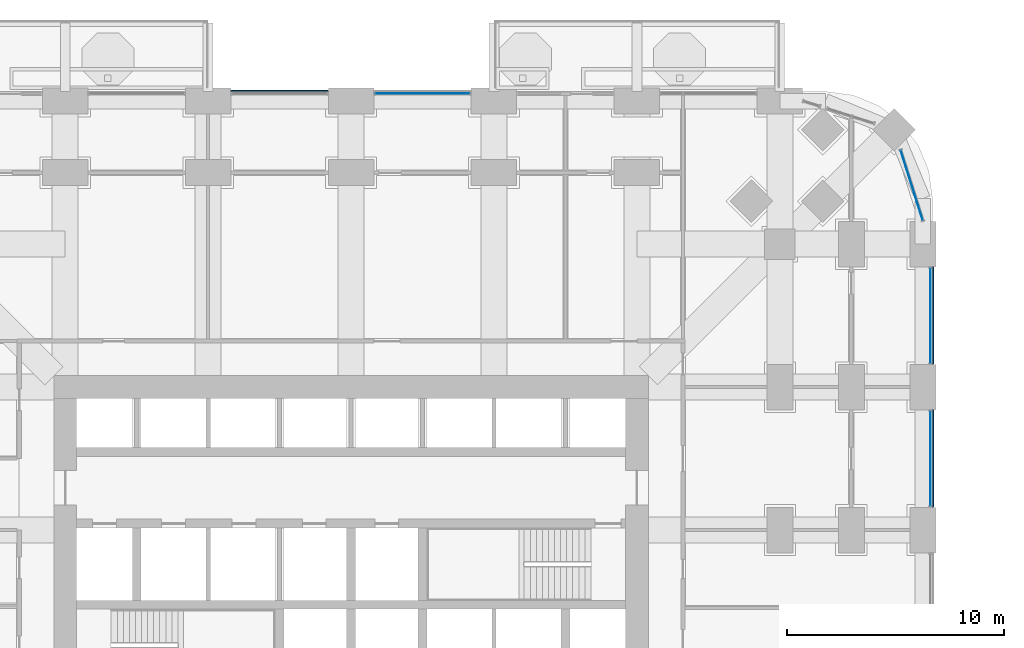
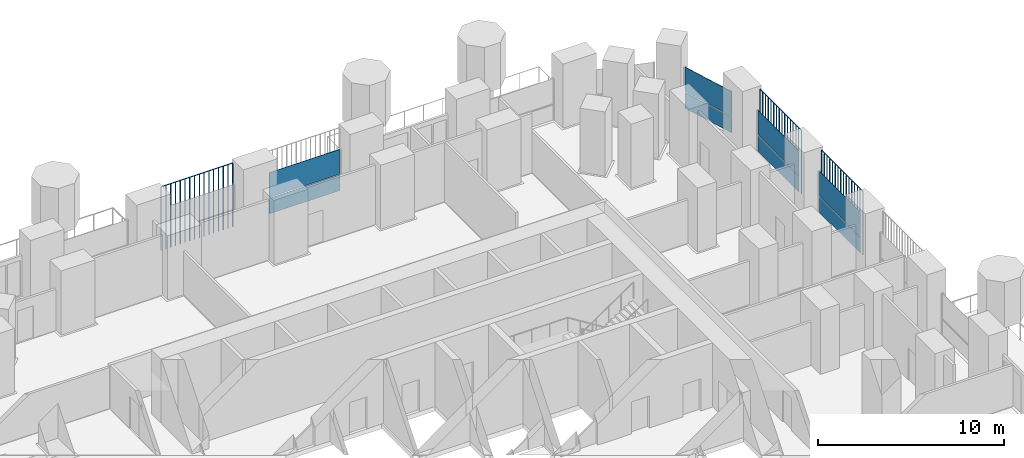
# One storey, part 16 of 27: 11 plates, 4 elements without a shape of their own.
"""IFC4 building model written with IfcOpenShell, lengths in metres."""

from ifc_helpers import new_model, si_unit, direction, frame, origin, origin_2d, place, context, subcontext, project, spatial, polyline, rectangle, outline, extrude, material, layer, layer_set, type_object, element, aggregate, save


model = new_model("IFC4")

# Units and contexts
model_context = context("Model", 3, precision=1e-05, world=origin(), true_north=direction((0.0, 1.0)))
body_context = subcontext(model_context, "Body", "Model", "MODEL_VIEW")
ifc_project = project(units=[si_unit("LENGTHUNIT", "METRE"), si_unit("AREAUNIT", "SQUARE_METRE"), si_unit("VOLUMEUNIT", "CUBIC_METRE"), si_unit("PLANEANGLEUNIT", "RADIAN"), si_unit("MASSUNIT", "GRAM", prefix="KILO")], contexts=[model_context])

# Site, building, storey
site_placement = place(None, origin())
site = spatial("IfcSite", under=ifc_project, at=site_placement, CompositionType="ELEMENT")
building_placement = place(site_placement, origin())
building = spatial("IfcBuilding", under=site, at=building_placement, Name="Cobogo Forest Laboratory Tower", CompositionType="ELEMENT")
storey_placement = place(building_placement, frame((0.0, 0.0, 46.5)))
storey = spatial("IfcBuildingStorey", under=building, at=storey_placement, Name="L10", CompositionType="ELEMENT", Elevation=46.5)

# Curtain wall, plates
ifc_material_1 = material(Name="Aluminium curtain wall", Category="aluminium")
curtain_wall_type = type_object("IfcCurtainWallType", Name="CW-1 unitised curtain wall, clear glazing, laboratory floors zones A and B", PredefinedType="USERDEFINED", material=ifc_material_1)
curtain_wall_1_placement = place(storey_placement, origin())
curtain_wall_1 = element("IfcCurtainWall", 1, at=curtain_wall_1_placement, inside=storey, type_object=curtain_wall_type, Name="Curtain wall 13 L10", ObjectType="UNITISED CURTAIN WALL", PredefinedType="USERDEFINED")
ifc_material_2 = material(Name="Clear insulated glass", Category="glass")
ifc_layer = layer(ifc_material_2, 0.028076171875)
ifc_layer_set = layer_set([ifc_layer], Name="GP-1 clear insulated glass unit 28")
plate_type_1 = type_object("IfcPlateType", Name="GP-1 clear insulated glass unit 28", PredefinedType="CURTAIN_PANEL", material=ifc_layer_set)
plate_1_placement = place(storey_placement, frame((53.14990234375, 29.699951171875, 0.0), z_axis=(0.0, 0.0, 1.0), x_axis=(0.0, 1.0, 0.0)))
plate_1 = element("IfcPlate", 2, at=plate_1_placement, type_object=plate_type_1, Name="CW-1 panel 1.1", PredefinedType="CURTAIN_PANEL", context=body_context, shape_type="SweptSolid", body=[
    extrude(rectangle(XDim=4.3798828125, YDim=0.028076171875, at=origin_2d()), origin(), (0.0, 0.0, 1.0), 1.02001953125),
])
plate_2_placement = place(storey_placement, frame((53.14990234375, 29.699951171875, 1.079833984375), z_axis=(0.0, 0.0, 1.0), x_axis=(0.0, 1.0, 0.0)))
plate_2 = element("IfcPlate", 3, at=plate_2_placement, type_object=plate_type_1, Name="CW-1 panel 1.2", PredefinedType="CURTAIN_PANEL", context=body_context, shape_type="SweptSolid", body=[
    extrude(rectangle(XDim=4.3798828125, YDim=0.028076171875, at=origin_2d()), origin(), (0.0, 0.0, 1.0), 1.6201171875),
])
aggregate(curtain_wall_1, [plate_1, plate_2])

curtain_wall_2_placement = place(storey_placement, origin())
curtain_wall_2 = element("IfcCurtainWall", 4, at=curtain_wall_2_placement, inside=storey, type_object=curtain_wall_type, Name="Curtain wall 14 L10", ObjectType="UNITISED CURTAIN WALL", PredefinedType="USERDEFINED")
plate_3_placement = place(storey_placement, frame((53.14990234375, 36.300048828125, 0.0), z_axis=(0.0, 0.0, 1.0), x_axis=(0.0, 1.0, 0.0)))
plate_3 = element("IfcPlate", 5, at=plate_3_placement, type_object=plate_type_1, Name="CW-1 panel 1.1", PredefinedType="CURTAIN_PANEL", context=body_context, shape_type="SweptSolid", body=[
    extrude(rectangle(XDim=4.3798828125, YDim=0.028076171875, at=origin_2d()), origin(), (0.0, 0.0, 1.0), 1.02001953125),
])
plate_4_placement = place(storey_placement, frame((53.14990234375, 36.300048828125, 1.079833984375), z_axis=(0.0, 0.0, 1.0), x_axis=(0.0, 1.0, 0.0)))
plate_4 = element("IfcPlate", 6, at=plate_4_placement, type_object=plate_type_1, Name="CW-1 panel 1.2", PredefinedType="CURTAIN_PANEL", context=body_context, shape_type="SweptSolid", body=[
    extrude(rectangle(XDim=4.3798828125, YDim=0.028076171875, at=origin_2d()), origin(), (0.0, 0.0, 1.0), 1.6201171875),
])
aggregate(curtain_wall_2, [plate_3, plate_4])

curtain_wall_3_placement = place(storey_placement, origin())
curtain_wall_3 = element("IfcCurtainWall", 7, at=curtain_wall_3_placement, inside=storey, type_object=curtain_wall_type, Name="Curtain wall 15 L10", ObjectType="UNITISED CURTAIN WALL", PredefinedType="USERDEFINED")
plate_5_placement = place(storey_placement, frame((52.291015625, 42.320068359375, 0.0), z_axis=(0.0, 0.0, 1.0), x_axis=(-0.30113535792, 0.95358140513, 0.0)))
plate_5 = element("IfcPlate", 8, at=plate_5_placement, type_object=plate_type_1, Name="CW-1 panel 1.1", PredefinedType="CURTAIN_PANEL", context=body_context, shape_type="SweptSolid", body=[
    extrude(rectangle(XDim=3.382568359375, YDim=0.028076171875, at=origin_2d()), origin(), (0.0, 0.0, 1.0), 1.02001953125),
])
plate_6_placement = place(storey_placement, frame((52.291015625, 42.320068359375, 1.079833984375), z_axis=(0.0, 0.0, 1.0), x_axis=(-0.30113535792, 0.95358140513, 0.0)))
plate_6 = element("IfcPlate", 9, at=plate_6_placement, type_object=plate_type_1, Name="CW-1 panel 1.2", PredefinedType="CURTAIN_PANEL", context=body_context, shape_type="SweptSolid", body=[
    extrude(rectangle(XDim=3.382568359375, YDim=0.028076171875, at=origin_2d()), origin(), (0.0, 0.0, 1.0), 1.6201171875),
])
aggregate(curtain_wall_3, [plate_5, plate_6])

curtain_wall_4_placement = place(storey_placement, origin())
curtain_wall_4 = element("IfcCurtainWall", 10, at=curtain_wall_4_placement, inside=storey, type_object=curtain_wall_type, Name="Curtain wall 20 L10", ObjectType="UNITISED CURTAIN WALL", PredefinedType="USERDEFINED")
plate_7_placement = place(storey_placement, frame((29.699951171875, 46.550048828125, 0.0), z_axis=(0.0, 0.0, 1.0), x_axis=(-1.0, 0.0, 0.0)))
plate_7 = element("IfcPlate", 11, at=plate_7_placement, type_object=plate_type_1, Name="CW-1 panel 1.1", PredefinedType="CURTAIN_PANEL", context=body_context, shape_type="SweptSolid", body=[
    extrude(rectangle(XDim=4.3798828125, YDim=0.028076171875, at=origin_2d()), origin(), (0.0, 0.0, 1.0), 1.02001953125),
])
plate_8_placement = place(storey_placement, frame((29.699951171875, 46.550048828125, 1.079833984375), z_axis=(0.0, 0.0, 1.0), x_axis=(-1.0, 0.0, 0.0)))
plate_8 = element("IfcPlate", 12, at=plate_8_placement, type_object=plate_type_1, Name="CW-1 panel 1.2", PredefinedType="CURTAIN_PANEL", context=body_context, shape_type="SweptSolid", body=[
    extrude(rectangle(XDim=4.3798828125, YDim=0.028076171875, at=origin_2d()), origin(), (0.0, 0.0, 1.0), 1.6201171875),
])
aggregate(curtain_wall_4, [plate_7, plate_8])

# Plates
ifc_material_3 = material(Name="Terracotta", Category="masonry")
plate_type_2 = type_object("IfcPlateType", Name="TB1 terracotta baguette screen", PredefinedType="USERDEFINED", material=ifc_material_3)
plate_9_placement = place(storey_placement, frame((53.27783203125, 27.481201171875, -0.14990234375)))
element("IfcPlate", 13, at=plate_9_placement, inside=storey, type_object=plate_type_2, Name="Baguette screen E4 L10", ObjectType="BAGUETTE SCREEN", PredefinedType="USERDEFINED", context=body_context, shape_type="SweptSolid", body=[
    extrude(outline(polyline([(0.02880859375, 0.011962890625), (0.011962890625, 0.02880859375), (-0.011962890625, 0.02880859375), (-0.02880859375, 0.011962890625), (-0.02880859375, -0.011962890625), (-0.011962890625, -0.02880859375), (0.011962890625, -0.02880859375), (0.02880859375, -0.011962890625), (0.02880859375, 0.011962890625)])), frame((0.0, 0.0, 4.168701171875), z_axis=(0.0, 1.0, 0.0), x_axis=(-1.0, 0.0, 0.0)), (0.0, 0.0, 1.0), 4.4375),
    extrude(outline(polyline([(0.02880859375, 0.011962890625), (0.011962890625, 0.02880859375), (-0.011962890625, 0.02880859375), (-0.02880859375, 0.011962890625), (-0.02880859375, -0.011962890625), (-0.011962890625, -0.02880859375), (0.011962890625, -0.02880859375), (0.02880859375, -0.011962890625), (0.02880859375, 0.011962890625)])), origin(), (0.0, 0.0, 1.0), 4.137451171875),
    extrude(outline(polyline([(0.02880859375, 0.011962890625), (0.011962890625, 0.02880859375), (-0.011962890625, 0.02880859375), (-0.02880859375, 0.011962890625), (-0.02880859375, -0.011962890625), (-0.011962890625, -0.02880859375), (0.011962890625, -0.02880859375), (0.02880859375, -0.011962890625), (0.02880859375, 0.011962890625)])), frame((0.0, 0.2958984375, 0.0)), (0.0, 0.0, 1.0), 4.137451171875),
    extrude(outline(polyline([(0.02880859375, 0.011962890625), (0.011962890625, 0.02880859375), (-0.011962890625, 0.02880859375), (-0.02880859375, 0.011962890625), (-0.02880859375, -0.011962890625), (-0.011962890625, -0.02880859375), (0.011962890625, -0.02880859375), (0.02880859375, -0.011962890625), (0.02880859375, 0.011962890625)])), frame((0.0, 0.591552734375, 0.0)), (0.0, 0.0, 1.0), 4.137451171875),
    extrude(outline(polyline([(0.02880859375, 0.011962890625), (0.011962890625, 0.02880859375), (-0.011962890625, 0.02880859375), (-0.02880859375, 0.011962890625), (-0.02880859375, -0.011962890625), (-0.011962890625, -0.02880859375), (0.011962890625, -0.02880859375), (0.02880859375, -0.011962890625), (0.02880859375, 0.011962890625)])), frame((0.0, 0.887451171875, 0.0)), (0.0, 0.0, 1.0), 4.137451171875),
    extrude(outline(polyline([(0.02880859375, 0.011962890625), (0.011962890625, 0.02880859375), (-0.011962890625, 0.02880859375), (-0.02880859375, 0.011962890625), (-0.02880859375, -0.011962890625), (-0.011962890625, -0.02880859375), (0.011962890625, -0.02880859375), (0.02880859375, -0.011962890625), (0.02880859375, 0.011962890625)])), frame((0.0, 1.183349609375, 0.0)), (0.0, 0.0, 1.0), 4.137451171875),
    extrude(outline(polyline([(0.02880859375, 0.011962890625), (0.011962890625, 0.02880859375), (-0.011962890625, 0.02880859375), (-0.02880859375, 0.011962890625), (-0.02880859375, -0.011962890625), (-0.011962890625, -0.02880859375), (0.011962890625, -0.02880859375), (0.02880859375, -0.011962890625), (0.02880859375, 0.011962890625)])), frame((0.0, 1.479248046875, 0.0)), (0.0, 0.0, 1.0), 4.137451171875),
    extrude(outline(polyline([(0.02880859375, 0.011962890625), (0.011962890625, 0.02880859375), (-0.011962890625, 0.02880859375), (-0.02880859375, 0.011962890625), (-0.02880859375, -0.011962890625), (-0.011962890625, -0.02880859375), (0.011962890625, -0.02880859375), (0.02880859375, -0.011962890625), (0.02880859375, 0.011962890625)])), frame((0.0, 1.77490234375, 0.0)), (0.0, 0.0, 1.0), 4.137451171875),
    extrude(outline(polyline([(0.02880859375, 0.011962890625), (0.011962890625, 0.02880859375), (-0.011962890625, 0.02880859375), (-0.02880859375, 0.011962890625), (-0.02880859375, -0.011962890625), (-0.011962890625, -0.02880859375), (0.011962890625, -0.02880859375), (0.02880859375, -0.011962890625), (0.02880859375, 0.011962890625)])), frame((0.0, 2.07080078125, 0.0)), (0.0, 0.0, 1.0), 4.137451171875),
    extrude(outline(polyline([(0.02880859375, 0.011962890625), (0.011962890625, 0.02880859375), (-0.011962890625, 0.02880859375), (-0.02880859375, 0.011962890625), (-0.02880859375, -0.011962890625), (-0.011962890625, -0.02880859375), (0.011962890625, -0.02880859375), (0.02880859375, -0.011962890625), (0.02880859375, 0.011962890625)])), frame((0.0, 2.36669921875, 0.0)), (0.0, 0.0, 1.0), 4.137451171875),
    extrude(outline(polyline([(0.02880859375, 0.011962890625), (0.011962890625, 0.02880859375), (-0.011962890625, 0.02880859375), (-0.02880859375, 0.011962890625), (-0.02880859375, -0.011962890625), (-0.011962890625, -0.02880859375), (0.011962890625, -0.02880859375), (0.02880859375, -0.011962890625), (0.02880859375, 0.011962890625)])), frame((0.0, 2.66259765625, 0.0)), (0.0, 0.0, 1.0), 4.137451171875),
    extrude(outline(polyline([(0.02880859375, 0.011962890625), (0.011962890625, 0.02880859375), (-0.011962890625, 0.02880859375), (-0.02880859375, 0.011962890625), (-0.02880859375, -0.011962890625), (-0.011962890625, -0.02880859375), (0.011962890625, -0.02880859375), (0.02880859375, -0.011962890625), (0.02880859375, 0.011962890625)])), frame((0.0, 2.958251953125, 0.0)), (0.0, 0.0, 1.0), 4.137451171875),
    extrude(outline(polyline([(0.02880859375, 0.011962890625), (0.011962890625, 0.02880859375), (-0.011962890625, 0.02880859375), (-0.02880859375, 0.011962890625), (-0.02880859375, -0.011962890625), (-0.011962890625, -0.02880859375), (0.011962890625, -0.02880859375), (0.02880859375, -0.011962890625), (0.02880859375, 0.011962890625)])), frame((0.0, 3.254150390625, 0.0)), (0.0, 0.0, 1.0), 4.137451171875),
    extrude(outline(polyline([(0.02880859375, 0.011962890625), (0.011962890625, 0.02880859375), (-0.011962890625, 0.02880859375), (-0.02880859375, 0.011962890625), (-0.02880859375, -0.011962890625), (-0.011962890625, -0.02880859375), (0.011962890625, -0.02880859375), (0.02880859375, -0.011962890625), (0.02880859375, 0.011962890625)])), frame((0.0, 3.550048828125, 0.0)), (0.0, 0.0, 1.0), 4.137451171875),
    extrude(outline(polyline([(0.02880859375, 0.011962890625), (0.011962890625, 0.02880859375), (-0.011962890625, 0.02880859375), (-0.02880859375, 0.011962890625), (-0.02880859375, -0.011962890625), (-0.011962890625, -0.02880859375), (0.011962890625, -0.02880859375), (0.02880859375, -0.011962890625), (0.02880859375, 0.011962890625)])), frame((0.0, 3.845947265625, 0.0)), (0.0, 0.0, 1.0), 4.137451171875),
    extrude(outline(polyline([(0.02880859375, 0.011962890625), (0.011962890625, 0.02880859375), (-0.011962890625, 0.02880859375), (-0.02880859375, 0.011962890625), (-0.02880859375, -0.011962890625), (-0.011962890625, -0.02880859375), (0.011962890625, -0.02880859375), (0.02880859375, -0.011962890625), (0.02880859375, 0.011962890625)])), frame((0.0, 4.1416015625, 0.0)), (0.0, 0.0, 1.0), 4.137451171875),
    extrude(outline(polyline([(0.02880859375, 0.011962890625), (0.011962890625, 0.02880859375), (-0.011962890625, 0.02880859375), (-0.02880859375, 0.011962890625), (-0.02880859375, -0.011962890625), (-0.011962890625, -0.02880859375), (0.011962890625, -0.02880859375), (0.02880859375, -0.011962890625), (0.02880859375, 0.011962890625)])), frame((0.0, 4.4375, 0.0)), (0.0, 0.0, 1.0), 4.137451171875),
])
plate_10_placement = place(storey_placement, frame((53.27783203125, 34.081298828125, -0.14990234375)))
element("IfcPlate", 14, at=plate_10_placement, inside=storey, type_object=plate_type_2, Name="Baguette screen E5 L10", ObjectType="BAGUETTE SCREEN", PredefinedType="USERDEFINED", context=body_context, shape_type="SweptSolid", body=[
    extrude(outline(polyline([(0.02880859375, 0.011962890625), (0.011962890625, 0.02880859375), (-0.011962890625, 0.02880859375), (-0.02880859375, 0.011962890625), (-0.02880859375, -0.011962890625), (-0.011962890625, -0.02880859375), (0.011962890625, -0.02880859375), (0.02880859375, -0.011962890625), (0.02880859375, 0.011962890625)])), frame((0.0, 0.0, 4.168701171875), z_axis=(0.0, 1.0, 0.0), x_axis=(-1.0, 0.0, 0.0)), (0.0, 0.0, 1.0), 4.4375),
    extrude(outline(polyline([(0.02880859375, 0.011962890625), (0.011962890625, 0.02880859375), (-0.011962890625, 0.02880859375), (-0.02880859375, 0.011962890625), (-0.02880859375, -0.011962890625), (-0.011962890625, -0.02880859375), (0.011962890625, -0.02880859375), (0.02880859375, -0.011962890625), (0.02880859375, 0.011962890625)])), origin(), (0.0, 0.0, 1.0), 4.137451171875),
    extrude(outline(polyline([(0.02880859375, 0.011962890625), (0.011962890625, 0.02880859375), (-0.011962890625, 0.02880859375), (-0.02880859375, 0.011962890625), (-0.02880859375, -0.011962890625), (-0.011962890625, -0.02880859375), (0.011962890625, -0.02880859375), (0.02880859375, -0.011962890625), (0.02880859375, 0.011962890625)])), frame((0.0, 0.2958984375, 0.0)), (0.0, 0.0, 1.0), 4.137451171875),
    extrude(outline(polyline([(0.02880859375, 0.011962890625), (0.011962890625, 0.02880859375), (-0.011962890625, 0.02880859375), (-0.02880859375, 0.011962890625), (-0.02880859375, -0.011962890625), (-0.011962890625, -0.02880859375), (0.011962890625, -0.02880859375), (0.02880859375, -0.011962890625), (0.02880859375, 0.011962890625)])), frame((0.0, 0.591552734375, 0.0)), (0.0, 0.0, 1.0), 4.137451171875),
    extrude(outline(polyline([(0.02880859375, 0.011962890625), (0.011962890625, 0.02880859375), (-0.011962890625, 0.02880859375), (-0.02880859375, 0.011962890625), (-0.02880859375, -0.011962890625), (-0.011962890625, -0.02880859375), (0.011962890625, -0.02880859375), (0.02880859375, -0.011962890625), (0.02880859375, 0.011962890625)])), frame((0.0, 0.887451171875, 0.0)), (0.0, 0.0, 1.0), 4.137451171875),
    extrude(outline(polyline([(0.02880859375, 0.011962890625), (0.011962890625, 0.02880859375), (-0.011962890625, 0.02880859375), (-0.02880859375, 0.011962890625), (-0.02880859375, -0.011962890625), (-0.011962890625, -0.02880859375), (0.011962890625, -0.02880859375), (0.02880859375, -0.011962890625), (0.02880859375, 0.011962890625)])), frame((0.0, 1.183349609375, 0.0)), (0.0, 0.0, 1.0), 4.137451171875),
    extrude(outline(polyline([(0.02880859375, 0.011962890625), (0.011962890625, 0.02880859375), (-0.011962890625, 0.02880859375), (-0.02880859375, 0.011962890625), (-0.02880859375, -0.011962890625), (-0.011962890625, -0.02880859375), (0.011962890625, -0.02880859375), (0.02880859375, -0.011962890625), (0.02880859375, 0.011962890625)])), frame((0.0, 1.479248046875, 0.0)), (0.0, 0.0, 1.0), 4.137451171875),
    extrude(outline(polyline([(0.02880859375, 0.011962890625), (0.011962890625, 0.02880859375), (-0.011962890625, 0.02880859375), (-0.02880859375, 0.011962890625), (-0.02880859375, -0.011962890625), (-0.011962890625, -0.02880859375), (0.011962890625, -0.02880859375), (0.02880859375, -0.011962890625), (0.02880859375, 0.011962890625)])), frame((0.0, 1.77490234375, 0.0)), (0.0, 0.0, 1.0), 4.137451171875),
    extrude(outline(polyline([(0.02880859375, 0.011962890625), (0.011962890625, 0.02880859375), (-0.011962890625, 0.02880859375), (-0.02880859375, 0.011962890625), (-0.02880859375, -0.011962890625), (-0.011962890625, -0.02880859375), (0.011962890625, -0.02880859375), (0.02880859375, -0.011962890625), (0.02880859375, 0.011962890625)])), frame((0.0, 2.07080078125, 0.0)), (0.0, 0.0, 1.0), 4.137451171875),
    extrude(outline(polyline([(0.02880859375, 0.011962890625), (0.011962890625, 0.02880859375), (-0.011962890625, 0.02880859375), (-0.02880859375, 0.011962890625), (-0.02880859375, -0.011962890625), (-0.011962890625, -0.02880859375), (0.011962890625, -0.02880859375), (0.02880859375, -0.011962890625), (0.02880859375, 0.011962890625)])), frame((0.0, 2.36669921875, 0.0)), (0.0, 0.0, 1.0), 4.137451171875),
    extrude(outline(polyline([(0.02880859375, 0.011962890625), (0.011962890625, 0.02880859375), (-0.011962890625, 0.02880859375), (-0.02880859375, 0.011962890625), (-0.02880859375, -0.011962890625), (-0.011962890625, -0.02880859375), (0.011962890625, -0.02880859375), (0.02880859375, -0.011962890625), (0.02880859375, 0.011962890625)])), frame((0.0, 2.66259765625, 0.0)), (0.0, 0.0, 1.0), 4.137451171875),
    extrude(outline(polyline([(0.02880859375, 0.011962890625), (0.011962890625, 0.02880859375), (-0.011962890625, 0.02880859375), (-0.02880859375, 0.011962890625), (-0.02880859375, -0.011962890625), (-0.011962890625, -0.02880859375), (0.011962890625, -0.02880859375), (0.02880859375, -0.011962890625), (0.02880859375, 0.011962890625)])), frame((0.0, 2.958251953125, 0.0)), (0.0, 0.0, 1.0), 4.137451171875),
    extrude(outline(polyline([(0.02880859375, 0.011962890625), (0.011962890625, 0.02880859375), (-0.011962890625, 0.02880859375), (-0.02880859375, 0.011962890625), (-0.02880859375, -0.011962890625), (-0.011962890625, -0.02880859375), (0.011962890625, -0.02880859375), (0.02880859375, -0.011962890625), (0.02880859375, 0.011962890625)])), frame((0.0, 3.254150390625, 0.0)), (0.0, 0.0, 1.0), 4.137451171875),
    extrude(outline(polyline([(0.02880859375, 0.011962890625), (0.011962890625, 0.02880859375), (-0.011962890625, 0.02880859375), (-0.02880859375, 0.011962890625), (-0.02880859375, -0.011962890625), (-0.011962890625, -0.02880859375), (0.011962890625, -0.02880859375), (0.02880859375, -0.011962890625), (0.02880859375, 0.011962890625)])), frame((0.0, 3.550048828125, 0.0)), (0.0, 0.0, 1.0), 4.137451171875),
    extrude(outline(polyline([(0.02880859375, 0.011962890625), (0.011962890625, 0.02880859375), (-0.011962890625, 0.02880859375), (-0.02880859375, 0.011962890625), (-0.02880859375, -0.011962890625), (-0.011962890625, -0.02880859375), (0.011962890625, -0.02880859375), (0.02880859375, -0.011962890625), (0.02880859375, 0.011962890625)])), frame((0.0, 3.845947265625, 0.0)), (0.0, 0.0, 1.0), 4.137451171875),
    extrude(outline(polyline([(0.02880859375, 0.011962890625), (0.011962890625, 0.02880859375), (-0.011962890625, 0.02880859375), (-0.02880859375, 0.011962890625), (-0.02880859375, -0.011962890625), (-0.011962890625, -0.02880859375), (0.011962890625, -0.02880859375), (0.02880859375, -0.011962890625), (0.02880859375, 0.011962890625)])), frame((0.0, 4.1416015625, 0.0)), (0.0, 0.0, 1.0), 4.137451171875),
    extrude(outline(polyline([(0.02880859375, 0.011962890625), (0.011962890625, 0.02880859375), (-0.011962890625, 0.02880859375), (-0.02880859375, 0.011962890625), (-0.02880859375, -0.011962890625), (-0.011962890625, -0.02880859375), (0.011962890625, -0.02880859375), (0.02880859375, -0.011962890625), (0.02880859375, 0.011962890625)])), frame((0.0, 4.4375, 0.0)), (0.0, 0.0, 1.0), 4.137451171875),
])
plate_11_placement = place(storey_placement, frame((20.88134765625, 46.677978515625, -0.14990234375)))
element("IfcPlate", 15, at=plate_11_placement, inside=storey, type_object=plate_type_2, Name="Baguette screen N3 L10", ObjectType="BAGUETTE SCREEN", PredefinedType="USERDEFINED", context=body_context, shape_type="SweptSolid", body=[
    extrude(outline(polyline([(0.02880859375, 0.011962890625), (0.011962890625, 0.02880859375), (-0.011962890625, 0.02880859375), (-0.02880859375, 0.011962890625), (-0.02880859375, -0.011962890625), (-0.011962890625, -0.02880859375), (0.011962890625, -0.02880859375), (0.02880859375, -0.011962890625), (0.02880859375, 0.011962890625)])), frame((0.0, 0.0, 4.168701171875), z_axis=(1.0, 0.0, 0.0), x_axis=(0.0, 1.0, 0.0)), (0.0, 0.0, 1.0), 4.4375),
    extrude(outline(polyline([(0.02880859375, 0.011962890625), (0.011962890625, 0.02880859375), (-0.011962890625, 0.02880859375), (-0.02880859375, 0.011962890625), (-0.02880859375, -0.011962890625), (-0.011962890625, -0.02880859375), (0.011962890625, -0.02880859375), (0.02880859375, -0.011962890625), (0.02880859375, 0.011962890625)])), origin(), (0.0, 0.0, 1.0), 4.137451171875),
    extrude(outline(polyline([(0.02880859375, 0.011962890625), (0.011962890625, 0.02880859375), (-0.011962890625, 0.02880859375), (-0.02880859375, 0.011962890625), (-0.02880859375, -0.011962890625), (-0.011962890625, -0.02880859375), (0.011962890625, -0.02880859375), (0.02880859375, -0.011962890625), (0.02880859375, 0.011962890625)])), frame((0.2958984375, 0.0, 0.0)), (0.0, 0.0, 1.0), 4.137451171875),
    extrude(outline(polyline([(0.02880859375, 0.011962890625), (0.011962890625, 0.02880859375), (-0.011962890625, 0.02880859375), (-0.02880859375, 0.011962890625), (-0.02880859375, -0.011962890625), (-0.011962890625, -0.02880859375), (0.011962890625, -0.02880859375), (0.02880859375, -0.011962890625), (0.02880859375, 0.011962890625)])), frame((0.591552734375, 0.0, 0.0)), (0.0, 0.0, 1.0), 4.137451171875),
    extrude(outline(polyline([(0.02880859375, 0.011962890625), (0.011962890625, 0.02880859375), (-0.011962890625, 0.02880859375), (-0.02880859375, 0.011962890625), (-0.02880859375, -0.011962890625), (-0.011962890625, -0.02880859375), (0.011962890625, -0.02880859375), (0.02880859375, -0.011962890625), (0.02880859375, 0.011962890625)])), frame((0.887451171875, 0.0, 0.0)), (0.0, 0.0, 1.0), 4.137451171875),
    extrude(outline(polyline([(0.02880859375, 0.011962890625), (0.011962890625, 0.02880859375), (-0.011962890625, 0.02880859375), (-0.02880859375, 0.011962890625), (-0.02880859375, -0.011962890625), (-0.011962890625, -0.02880859375), (0.011962890625, -0.02880859375), (0.02880859375, -0.011962890625), (0.02880859375, 0.011962890625)])), frame((1.183349609375, 0.0, 0.0)), (0.0, 0.0, 1.0), 4.137451171875),
    extrude(outline(polyline([(0.02880859375, 0.011962890625), (0.011962890625, 0.02880859375), (-0.011962890625, 0.02880859375), (-0.02880859375, 0.011962890625), (-0.02880859375, -0.011962890625), (-0.011962890625, -0.02880859375), (0.011962890625, -0.02880859375), (0.02880859375, -0.011962890625), (0.02880859375, 0.011962890625)])), frame((1.479248046875, 0.0, 0.0)), (0.0, 0.0, 1.0), 4.137451171875),
    extrude(outline(polyline([(0.02880859375, 0.011962890625), (0.011962890625, 0.02880859375), (-0.011962890625, 0.02880859375), (-0.02880859375, 0.011962890625), (-0.02880859375, -0.011962890625), (-0.011962890625, -0.02880859375), (0.011962890625, -0.02880859375), (0.02880859375, -0.011962890625), (0.02880859375, 0.011962890625)])), frame((1.77490234375, 0.0, 0.0)), (0.0, 0.0, 1.0), 4.137451171875),
    extrude(outline(polyline([(0.02880859375, 0.011962890625), (0.011962890625, 0.02880859375), (-0.011962890625, 0.02880859375), (-0.02880859375, 0.011962890625), (-0.02880859375, -0.011962890625), (-0.011962890625, -0.02880859375), (0.011962890625, -0.02880859375), (0.02880859375, -0.011962890625), (0.02880859375, 0.011962890625)])), frame((2.07080078125, 0.0, 0.0)), (0.0, 0.0, 1.0), 4.137451171875),
    extrude(outline(polyline([(0.02880859375, 0.011962890625), (0.011962890625, 0.02880859375), (-0.011962890625, 0.02880859375), (-0.02880859375, 0.011962890625), (-0.02880859375, -0.011962890625), (-0.011962890625, -0.02880859375), (0.011962890625, -0.02880859375), (0.02880859375, -0.011962890625), (0.02880859375, 0.011962890625)])), frame((2.36669921875, 0.0, 0.0)), (0.0, 0.0, 1.0), 4.137451171875),
    extrude(outline(polyline([(0.02880859375, 0.011962890625), (0.011962890625, 0.02880859375), (-0.011962890625, 0.02880859375), (-0.02880859375, 0.011962890625), (-0.02880859375, -0.011962890625), (-0.011962890625, -0.02880859375), (0.011962890625, -0.02880859375), (0.02880859375, -0.011962890625), (0.02880859375, 0.011962890625)])), frame((2.66259765625, 0.0, 0.0)), (0.0, 0.0, 1.0), 4.137451171875),
    extrude(outline(polyline([(0.02880859375, 0.011962890625), (0.011962890625, 0.02880859375), (-0.011962890625, 0.02880859375), (-0.02880859375, 0.011962890625), (-0.02880859375, -0.011962890625), (-0.011962890625, -0.02880859375), (0.011962890625, -0.02880859375), (0.02880859375, -0.011962890625), (0.02880859375, 0.011962890625)])), frame((2.958251953125, 0.0, 0.0)), (0.0, 0.0, 1.0), 4.137451171875),
    extrude(outline(polyline([(0.02880859375, 0.011962890625), (0.011962890625, 0.02880859375), (-0.011962890625, 0.02880859375), (-0.02880859375, 0.011962890625), (-0.02880859375, -0.011962890625), (-0.011962890625, -0.02880859375), (0.011962890625, -0.02880859375), (0.02880859375, -0.011962890625), (0.02880859375, 0.011962890625)])), frame((3.254150390625, 0.0, 0.0)), (0.0, 0.0, 1.0), 4.137451171875),
    extrude(outline(polyline([(0.02880859375, 0.011962890625), (0.011962890625, 0.02880859375), (-0.011962890625, 0.02880859375), (-0.02880859375, 0.011962890625), (-0.02880859375, -0.011962890625), (-0.011962890625, -0.02880859375), (0.011962890625, -0.02880859375), (0.02880859375, -0.011962890625), (0.02880859375, 0.011962890625)])), frame((3.550048828125, 0.0, 0.0)), (0.0, 0.0, 1.0), 4.137451171875),
    extrude(outline(polyline([(0.02880859375, 0.011962890625), (0.011962890625, 0.02880859375), (-0.011962890625, 0.02880859375), (-0.02880859375, 0.011962890625), (-0.02880859375, -0.011962890625), (-0.011962890625, -0.02880859375), (0.011962890625, -0.02880859375), (0.02880859375, -0.011962890625), (0.02880859375, 0.011962890625)])), frame((3.845947265625, 0.0, 0.0)), (0.0, 0.0, 1.0), 4.137451171875),
    extrude(outline(polyline([(0.02880859375, 0.011962890625), (0.011962890625, 0.02880859375), (-0.011962890625, 0.02880859375), (-0.02880859375, 0.011962890625), (-0.02880859375, -0.011962890625), (-0.011962890625, -0.02880859375), (0.011962890625, -0.02880859375), (0.02880859375, -0.011962890625), (0.02880859375, 0.011962890625)])), frame((4.1416015625, 0.0, 0.0)), (0.0, 0.0, 1.0), 4.137451171875),
    extrude(outline(polyline([(0.02880859375, 0.011962890625), (0.011962890625, 0.02880859375), (-0.011962890625, 0.02880859375), (-0.02880859375, 0.011962890625), (-0.02880859375, -0.011962890625), (-0.011962890625, -0.02880859375), (0.011962890625, -0.02880859375), (0.02880859375, -0.011962890625), (0.02880859375, 0.011962890625)])), frame((4.4375, 0.0, 0.0)), (0.0, 0.0, 1.0), 4.137451171875),
])

save(model, "model.ifc")
